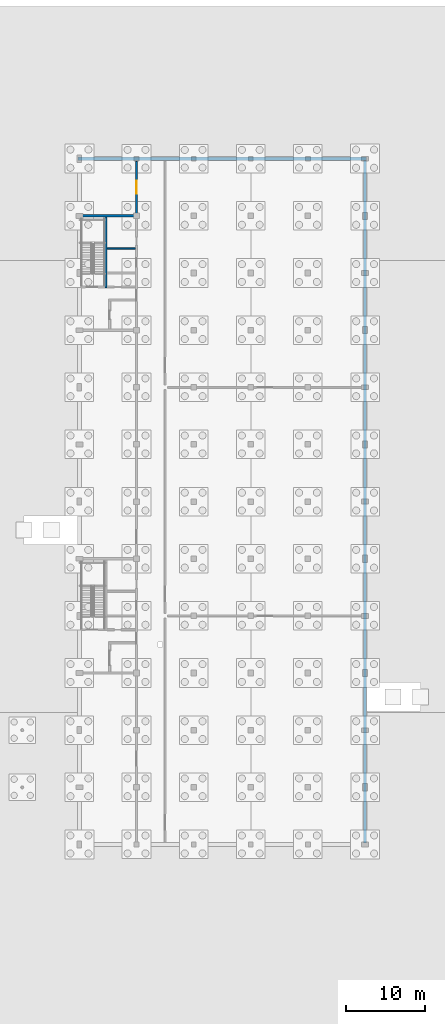
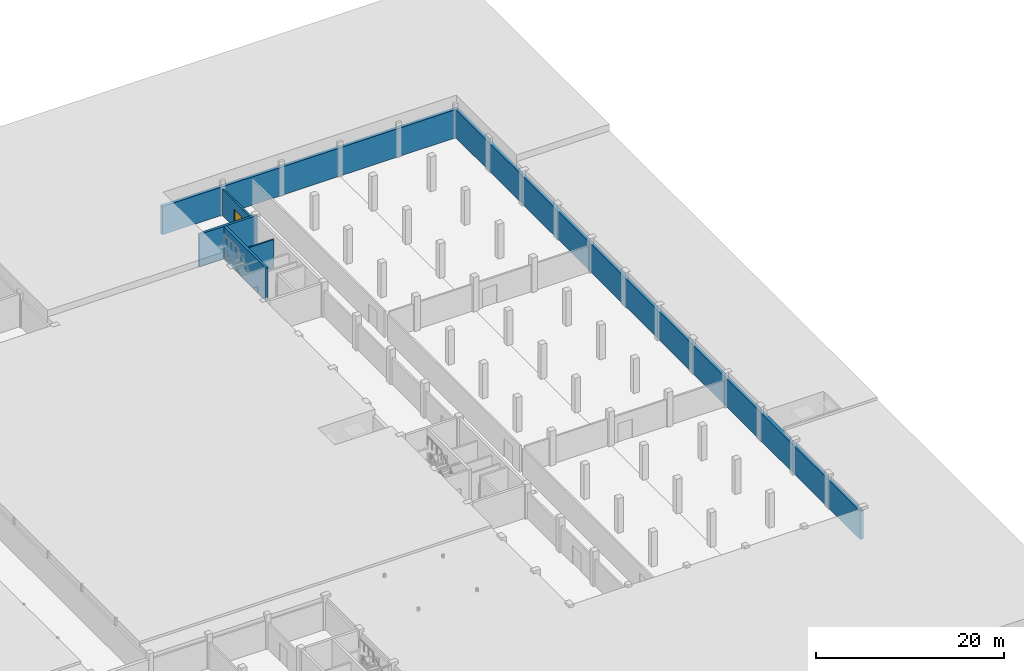
# One storey, part 35 of 51: 6 walls, 1 door, 1 opening.
"""IFC4 building model written with IfcOpenShell, lengths in metres."""

from ifc_helpers import new_model, si_unit, direction, frame, frame_2d, origin, place, context, subcontext, project, spatial, rectangle, extrude, material, layer, layer_set, type_object, element, fill, save


model = new_model("IFC4")

# Units and contexts
model_context = context("Model", 3, precision=1e-05, world=origin(), true_north=direction((0.0, 1.0)))
body_context = subcontext(model_context, "Body", "Model", "MODEL_VIEW")
ifc_project = project(units=[si_unit("LENGTHUNIT", "METRE"), si_unit("AREAUNIT", "SQUARE_METRE"), si_unit("VOLUMEUNIT", "CUBIC_METRE"), si_unit("PLANEANGLEUNIT", "RADIAN"), si_unit("MASSUNIT", "GRAM", prefix="KILO")], contexts=[model_context])

# Site, building, storey
site_placement = place(None, origin())
site = spatial("IfcSite", under=ifc_project, at=site_placement, CompositionType="ELEMENT")
building_placement = place(site_placement, origin())
building = spatial("IfcBuilding", under=site, at=building_placement, Name="Zlatovets Crest Museum", CompositionType="ELEMENT")
storey_placement = place(building_placement, frame((0.0, 0.0, -4.5)))
storey = spatial("IfcBuildingStorey", under=building, at=storey_placement, Name="B1", CompositionType="ELEMENT", Elevation=-4.5)

# Walls
ifc_material_1 = material(Name="Concrete C35/45", Category="concrete")
ifc_layer_1 = layer(ifc_material_1, 0.300048828125)
ifc_layer_set_1 = layer_set([ifc_layer_1], Name="Concrete C35/45")
wall_type_1 = type_object("IfcWallType", Name="CoreWall_SW01", PredefinedType="SHEAR", material=ifc_layer_set_1)
wall_1_placement = place(storey_placement, frame((129.800048828125, 93.60009765625, 0.0), z_axis=(0.0, 0.0, 1.0), x_axis=(1.0, 0.0, 0.0)))
element("IfcWall", 1, at=wall_1_placement, inside=storey, type_object=wall_type_1, Name="Core C7 B1 North Shear Wall", PredefinedType="SHEAR", context=body_context, shape_type="SweptSolid", body=[
    extrude(rectangle(XDim=7.14990234375, YDim=0.300048828125, at=frame_2d((3.574951171875, 0.0))), origin(), (0.0, 0.0, 1.0), 4.25),
])
wall_2_placement = place(storey_placement, frame((132.949951171875, 84.5400390625, 0.0), z_axis=(0.0, 0.0, 1.0), x_axis=(0.0, 1.0, 0.0)))
element("IfcWall", 2, at=wall_2_placement, inside=storey, type_object=wall_type_1, Name="Core C7 B1 Stair Divider Wall", PredefinedType="SHEAR", context=body_context, shape_type="SweptSolid", body=[
    extrude(rectangle(XDim=8.909912109375, YDim=0.300048828125, at=frame_2d((4.455078125, 0.0))), origin(), (0.0, 0.0, 1.0), 4.25),
])

# Wall, opening, door
ifc_material_2 = material(Name="Gypsum-encased fire compartment partition")
ifc_layer_2 = layer(ifc_material_2, 0.199951171875)
ifc_layer_set_2 = layer_set([ifc_layer_2], Name="Gypsum-encased fire compartment partition")
wall_type_2 = type_object("IfcWallType", Name="PartWall_PT-01", PredefinedType="PARTITIONING", material=ifc_layer_set_2)
wall_3_placement = place(storey_placement, frame((136.800048828125, 93.919921875, 0.0), z_axis=(0.0, 0.0, 1.0), x_axis=(0.0, 1.0, 0.0)))
wall_3 = element("IfcWall", 3, at=wall_3_placement, inside=storey, type_object=wall_type_2, Name="V5 B1 Interior Partition PT-01", PredefinedType="PARTITIONING", context=body_context, shape_type="SweptSolid", body=[
    extrude(rectangle(XDim=6.56005859375, YDim=0.199951171875, at=frame_2d((3.280029296875, 0.0))), origin(), (0.0, 0.0, 1.0), 3.449951171875),
])
opening_placement = place(wall_3_placement, frame((2.47998046875, 0.0, 0.0)))
opening = element("IfcOpeningElement", 4, at=opening_placement, cuts=wall_3, Name="Opening ID-04", PredefinedType="OPENING", context=body_context, shape_type="SweptSolid", body=[
    extrude(rectangle(XDim=1.60009765625, YDim=2.35009765625, at=frame_2d((0.800048828125, 1.175048828125))), frame((0.0, 0.10986328125, 0.0), z_axis=(0.0, -1.0, 0.0), x_axis=(1.0, 0.0, 0.0)), (0.0, 0.0, 1.0), 0.219970703125),
])
ifc_material_3 = material(Name="Gallery salon double portal door")
door_type = type_object("IfcDoorType", Name="IntDoor_ID-04", OperationType="DOUBLE_DOOR_SINGLE_SWING", PredefinedType="DOOR", material=ifc_material_3)
door_placement = place(opening_placement, origin())
door = element("IfcDoor", 5, at=door_placement, inside=storey, type_object=door_type, Name="IDOOR-V5-B1-0041 Archive Spine Corridor B1 to Wood Anoxic Treatment Room Door", OperationType="DOUBLE_DOOR_SINGLE_SWING", OverallHeight=2.35009765625, OverallWidth=1.60009765625, PredefinedType="DOOR", context=body_context, shape_type="SweptSolid", body=[
    extrude(rectangle(XDim=1.60009765625, YDim=2.35009765625, at=frame_2d((0.800048828125, 1.175048828125))), frame((0.0, 0.02490234375, 0.0), z_axis=(0.0, -1.0, 0.0), x_axis=(1.0, 0.0, 0.0)), (0.0, 0.0, 1.0), 0.050048828125),
])
fill(opening, door)

# Walls
ifc_material_4 = material(Name="Sanitary core acoustic service wall")
ifc_layer_3 = layer(ifc_material_4, 0.219970703125)
ifc_layer_set_3 = layer_set([ifc_layer_3], Name="Sanitary core acoustic service wall")
wall_type_3 = type_object("IfcWallType", Name="PartWall_PT-04", PredefinedType="PLUMBINGWALL", material=ifc_layer_set_3)
wall_4_placement = place(storey_placement, frame((133.10009765625, 89.5, 0.0), z_axis=(0.0, 0.0, 1.0), x_axis=(1.0, 0.0, 0.0)))
element("IfcWall", 6, at=wall_4_placement, inside=storey, type_object=wall_type_3, Name="Core C7 B1 Sanitary Divider", PredefinedType="PLUMBINGWALL", context=body_context, shape_type="SweptSolid", body=[
    extrude(rectangle(XDim=3.5498046875, YDim=0.199951171875, at=frame_2d((1.77490234375, 0.0))), origin(), (0.0, 0.0, 1.0), 3.669921875),
])
ifc_layer_4 = layer(ifc_material_1, 0.39990234375)
ifc_layer_set_4 = layer_set([ifc_layer_4], Name="Concrete C35/45")
wall_type_4 = type_object("IfcWallType", Name="RetainingWall_RW01", PredefinedType="USERDEFINED", material=ifc_layer_set_4)
wall_5_placement = place(storey_placement, frame((165.60009765625, 14.60009765625, 0.0), z_axis=(0.0, 0.0, 1.0), x_axis=(0.0, 1.0, 0.0)))
element("IfcWall", 7, at=wall_5_placement, inside=storey, type_object=wall_type_4, Name="V5 B1 Retaining Wall E", ObjectType="RETAINING WALL", PredefinedType="USERDEFINED", context=body_context, shape_type="SweptSolid", body=[
    extrude(rectangle(XDim=86.0, YDim=0.39990234375, at=frame_2d((43.0, 0.0))), origin(), (0.0, 0.0, 1.0), 3.669921875),
])
wall_6_placement = place(storey_placement, frame((165.800048828125, 100.800048828125, 0.0), z_axis=(0.0, 0.0, 1.0), x_axis=(-1.0, 0.0, 0.0)))
element("IfcWall", 8, at=wall_6_placement, inside=storey, type_object=wall_type_4, Name="V5 B1 Retaining Wall N", ObjectType="RETAINING WALL", PredefinedType="USERDEFINED", context=body_context, shape_type="SweptSolid", body=[
    extrude(rectangle(XDim=36.400146484375, YDim=0.39990234375, at=frame_2d((18.2001953125, 0.0))), origin(), (0.0, 0.0, 1.0), 3.669921875),
])

save(model, "model.ifc")
